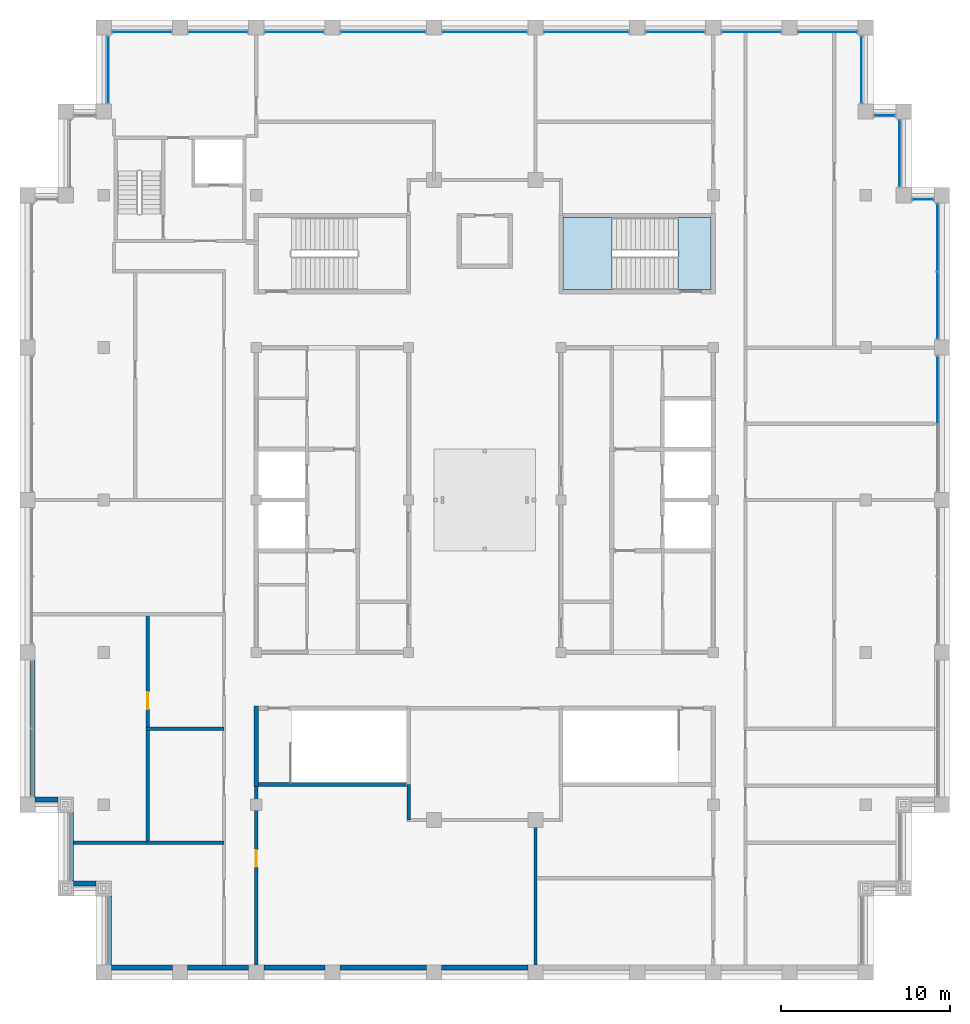
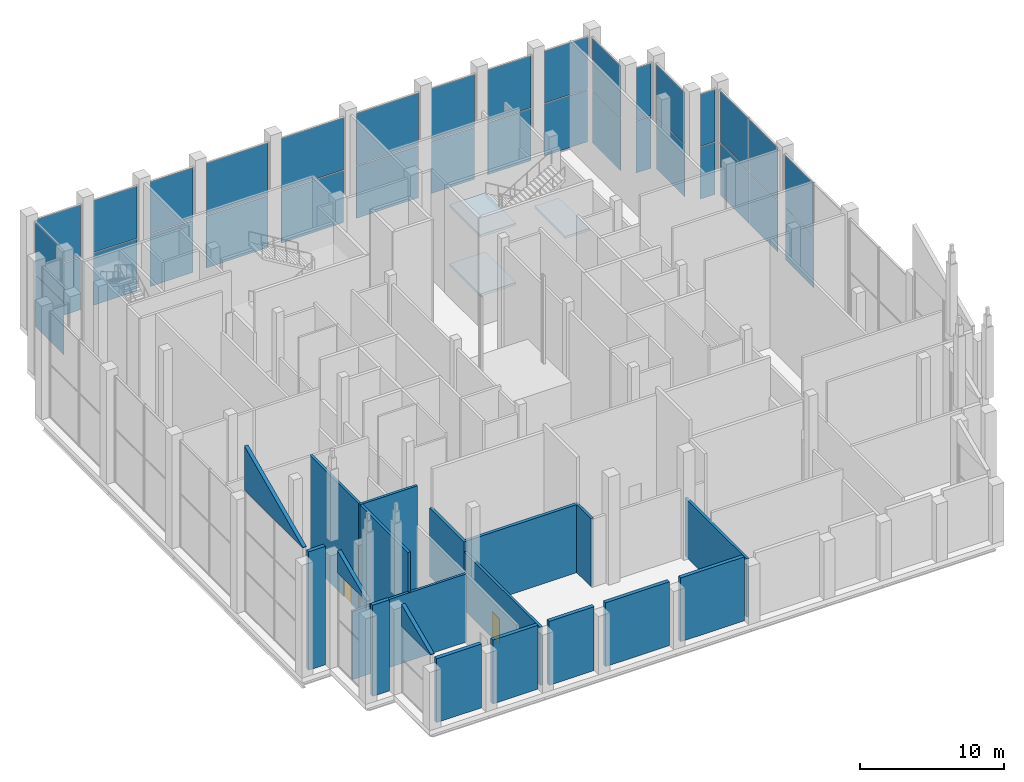
# One storey, part 11 of 16: 34 plates, 18 walls, 3 slabs, 2 doors, 2 openings, 17 elements without a shape of their own.
"""IFC4 building model written with IfcOpenShell, lengths in metres."""

from ifc_helpers import new_model, si_unit, direction, frame, frame_2d, origin, origin_2d, place, context, subcontext, project, spatial, polyline, rectangle, outline, extrude, material, layer, layer_set, type_object, element, fill, aggregate, save


model = new_model("IFC4")

# Units and contexts
model_context = context("Model", 3, precision=1e-05, world=origin(), true_north=direction((0.0, 1.0)))
body_context = subcontext(model_context, "Body", "Model", "MODEL_VIEW")
ifc_project = project(units=[si_unit("LENGTHUNIT", "METRE"), si_unit("AREAUNIT", "SQUARE_METRE"), si_unit("VOLUMEUNIT", "CUBIC_METRE"), si_unit("PLANEANGLEUNIT", "RADIAN"), si_unit("MASSUNIT", "GRAM", prefix="KILO")], contexts=[model_context])

# Site, building, storey
site_placement = place(None, origin())
site = spatial("IfcSite", under=ifc_project, at=site_placement, CompositionType="ELEMENT")
building_placement = place(site_placement, origin())
building = spatial("IfcBuilding", under=site, at=building_placement, Name="Corbelhall Arena Tower", CompositionType="ELEMENT")
storey_placement = place(building_placement, frame((0.0, 0.0, 366.0)))
storey = spatial("IfcBuildingStorey", under=building, at=storey_placement, Name="L80", CompositionType="ELEMENT", Elevation=366.0)

# Curtain wall, plates
ifc_material_1 = material(Name="Aluminium black anodised", Category="aluminium")
ifc_layer_1 = layer(ifc_material_1, 0.219970703125)
ifc_layer_set_1 = layer_set([ifc_layer_1], Name="EV-CW2 Damper hall glazing")
curtain_wall_type = type_object("IfcCurtainWallType", Name="EV-CW2 Damper hall glazing", PredefinedType="NOTDEFINED", material=ifc_layer_set_1)
curtain_wall_1_placement = place(storey_placement, origin())
curtain_wall_1 = element("IfcCurtainWall", 1, at=curtain_wall_1_placement, inside=storey, type_object=curtain_wall_type, Name="Curtain wall CW2", PredefinedType="NOTDEFINED")
ifc_material_2 = material(Name="Glass dark tinted laminated", Category="glass")
ifc_layer_2 = layer(ifc_material_2, 0.028076171875)
ifc_layer_set_2 = layer_set([ifc_layer_2], Name="EV-CW2-PANEL")
plate_type = type_object("IfcPlateType", Name="EV-CW2-PANEL", PredefinedType="CURTAIN_PANEL", material=ifc_layer_set_2)
plate_1_placement = place(storey_placement, frame((26.75, 6.50634765625, 0.074951171875), z_axis=(0.0, 0.0, 1.0), x_axis=(0.0, 1.0, 0.0)))
plate_1 = element("IfcPlate", 2, at=plate_1_placement, type_object=plate_type, Name="CW2 panel 2.1", PredefinedType="CURTAIN_PANEL", context=body_context, shape_type="SweptSolid", body=[
    extrude(rectangle(XDim=3.9375, YDim=0.028076171875, at=origin_2d()), origin(), (0.0, 0.0, 1.0), 4.38720703125),
])
plate_2_placement = place(storey_placement, frame((26.75, 6.50634765625, 4.537353515625), z_axis=(0.0, 0.0, 1.0), x_axis=(0.0, 1.0, 0.0)))
plate_2 = element("IfcPlate", 3, at=plate_2_placement, type_object=plate_type, Name="CW2 panel 2.2", PredefinedType="CURTAIN_PANEL", context=body_context, shape_type="SweptSolid", body=[
    extrude(rectangle(XDim=3.9375, YDim=0.028076171875, at=origin_2d()), origin(), (0.0, 0.0, 1.0), 4.38720703125),
])
aggregate(curtain_wall_1, [plate_1, plate_2])

curtain_wall_2_placement = place(storey_placement, origin())
curtain_wall_2 = element("IfcCurtainWall", 4, at=curtain_wall_2_placement, inside=storey, type_object=curtain_wall_type, Name="Curtain wall CW2", PredefinedType="NOTDEFINED")
plate_3_placement = place(storey_placement, frame((26.75, 11.49365234375, 0.074951171875), z_axis=(0.0, 0.0, 1.0), x_axis=(0.0, 1.0, 0.0)))
plate_3 = element("IfcPlate", 5, at=plate_3_placement, type_object=plate_type, Name="CW2 panel 1.1", PredefinedType="CURTAIN_PANEL", context=body_context, shape_type="SweptSolid", body=[
    extrude(rectangle(XDim=3.9375, YDim=0.028076171875, at=origin_2d()), origin(), (0.0, 0.0, 1.0), 4.38720703125),
])
plate_4_placement = place(storey_placement, frame((26.75, 11.49365234375, 4.537353515625), z_axis=(0.0, 0.0, 1.0), x_axis=(0.0, 1.0, 0.0)))
plate_4 = element("IfcPlate", 6, at=plate_4_placement, type_object=plate_type, Name="CW2 panel 1.2", PredefinedType="CURTAIN_PANEL", context=body_context, shape_type="SweptSolid", body=[
    extrude(rectangle(XDim=3.9375, YDim=0.028076171875, at=origin_2d()), origin(), (0.0, 0.0, 1.0), 4.38720703125),
])
plate_5_placement = place(storey_placement, frame((26.75, 15.50634765625, 0.074951171875), z_axis=(0.0, 0.0, 1.0), x_axis=(0.0, 1.0, 0.0)))
plate_5 = element("IfcPlate", 7, at=plate_5_placement, type_object=plate_type, Name="CW2 panel 2.1", PredefinedType="CURTAIN_PANEL", context=body_context, shape_type="SweptSolid", body=[
    extrude(rectangle(XDim=3.9375, YDim=0.028076171875, at=origin_2d()), origin(), (0.0, 0.0, 1.0), 4.38720703125),
])
plate_6_placement = place(storey_placement, frame((26.75, 15.50634765625, 4.537353515625), z_axis=(0.0, 0.0, 1.0), x_axis=(0.0, 1.0, 0.0)))
plate_6 = element("IfcPlate", 8, at=plate_6_placement, type_object=plate_type, Name="CW2 panel 2.2", PredefinedType="CURTAIN_PANEL", context=body_context, shape_type="SweptSolid", body=[
    extrude(rectangle(XDim=3.9375, YDim=0.028076171875, at=origin_2d()), origin(), (0.0, 0.0, 1.0), 4.38720703125),
])
aggregate(curtain_wall_2, [plate_3, plate_4, plate_5, plate_6])

curtain_wall_3_placement = place(storey_placement, origin())
curtain_wall_3 = element("IfcCurtainWall", 9, at=curtain_wall_3_placement, inside=storey, type_object=curtain_wall_type, Name="Curtain wall CW2B", PredefinedType="NOTDEFINED")
plate_7_placement = place(storey_placement, frame((25.875, 17.75, 0.074951171875), z_axis=(0.0, 0.0, 1.0), x_axis=(-1.0, 0.0, 0.0)))
plate_7 = element("IfcPlate", 10, at=plate_7_placement, type_object=plate_type, Name="CW2B panel 1.1", PredefinedType="CURTAIN_PANEL", context=body_context, shape_type="SweptSolid", body=[
    extrude(rectangle(XDim=1.199951171875, YDim=0.028076171875, at=origin_2d()), origin(), (0.0, 0.0, 1.0), 4.38720703125),
])
plate_8_placement = place(storey_placement, frame((25.875, 17.75, 4.537353515625), z_axis=(0.0, 0.0, 1.0), x_axis=(-1.0, 0.0, 0.0)))
plate_8 = element("IfcPlate", 11, at=plate_8_placement, type_object=plate_type, Name="CW2B panel 1.2", PredefinedType="CURTAIN_PANEL", context=body_context, shape_type="SweptSolid", body=[
    extrude(rectangle(XDim=1.199951171875, YDim=0.028076171875, at=origin_2d()), origin(), (0.0, 0.0, 1.0), 4.38720703125),
])
aggregate(curtain_wall_3, [plate_7, plate_8])

curtain_wall_4_placement = place(storey_placement, origin())
curtain_wall_4 = element("IfcCurtainWall", 12, at=curtain_wall_4_placement, inside=storey, type_object=curtain_wall_type, Name="Curtain wall CW2", PredefinedType="NOTDEFINED")
plate_9_placement = place(storey_placement, frame((24.5, 20.47509765625, 0.074951171875), z_axis=(0.0, 0.0, 1.0), x_axis=(0.0, 1.0, 0.0)))
plate_9 = element("IfcPlate", 13, at=plate_9_placement, type_object=plate_type, Name="CW2 panel 1.1", PredefinedType="CURTAIN_PANEL", context=body_context, shape_type="SweptSolid", body=[
    extrude(rectangle(XDim=3.89990234375, YDim=0.028076171875, at=origin_2d()), origin(), (0.0, 0.0, 1.0), 4.38720703125),
])
plate_10_placement = place(storey_placement, frame((24.5, 20.47509765625, 4.537353515625), z_axis=(0.0, 0.0, 1.0), x_axis=(0.0, 1.0, 0.0)))
plate_10 = element("IfcPlate", 14, at=plate_10_placement, type_object=plate_type, Name="CW2 panel 1.2", PredefinedType="CURTAIN_PANEL", context=body_context, shape_type="SweptSolid", body=[
    extrude(rectangle(XDim=3.89990234375, YDim=0.028076171875, at=origin_2d()), origin(), (0.0, 0.0, 1.0), 4.38720703125),
])
aggregate(curtain_wall_4, [plate_9, plate_10])

curtain_wall_5_placement = place(storey_placement, origin())
curtain_wall_5 = element("IfcCurtainWall", 15, at=curtain_wall_5_placement, inside=storey, type_object=curtain_wall_type, Name="Curtain wall CW2B", PredefinedType="NOTDEFINED")
plate_11_placement = place(storey_placement, frame((23.625, 22.699951171875, 0.074951171875), z_axis=(0.0, 0.0, 1.0), x_axis=(-1.0, 0.0, 0.0)))
plate_11 = element("IfcPlate", 16, at=plate_11_placement, type_object=plate_type, Name="CW2B panel 1.1", PredefinedType="CURTAIN_PANEL", context=body_context, shape_type="SweptSolid", body=[
    extrude(rectangle(XDim=1.199951171875, YDim=0.028076171875, at=origin_2d()), origin(), (0.0, 0.0, 1.0), 4.38720703125),
])
plate_12_placement = place(storey_placement, frame((23.625, 22.699951171875, 4.537353515625), z_axis=(0.0, 0.0, 1.0), x_axis=(-1.0, 0.0, 0.0)))
plate_12 = element("IfcPlate", 17, at=plate_12_placement, type_object=plate_type, Name="CW2B panel 1.2", PredefinedType="CURTAIN_PANEL", context=body_context, shape_type="SweptSolid", body=[
    extrude(rectangle(XDim=1.199951171875, YDim=0.028076171875, at=origin_2d()), origin(), (0.0, 0.0, 1.0), 4.38720703125),
])
aggregate(curtain_wall_5, [plate_11, plate_12])

curtain_wall_6_placement = place(storey_placement, origin())
curtain_wall_6 = element("IfcCurtainWall", 18, at=curtain_wall_6_placement, inside=storey, type_object=curtain_wall_type, Name="Curtain wall CW2", PredefinedType="NOTDEFINED")
plate_13_placement = place(storey_placement, frame((22.25, 25.425048828125, 0.074951171875), z_axis=(0.0, 0.0, 1.0), x_axis=(0.0, 1.0, 0.0)))
plate_13 = element("IfcPlate", 19, at=plate_13_placement, type_object=plate_type, Name="CW2 panel 1.1", PredefinedType="CURTAIN_PANEL", context=body_context, shape_type="SweptSolid", body=[
    extrude(rectangle(XDim=3.89990234375, YDim=0.028076171875, at=origin_2d()), origin(), (0.0, 0.0, 1.0), 4.38720703125),
])
plate_14_placement = place(storey_placement, frame((22.25, 25.425048828125, 4.537353515625), z_axis=(0.0, 0.0, 1.0), x_axis=(0.0, 1.0, 0.0)))
plate_14 = element("IfcPlate", 20, at=plate_14_placement, type_object=plate_type, Name="CW2 panel 1.2", PredefinedType="CURTAIN_PANEL", context=body_context, shape_type="SweptSolid", body=[
    extrude(rectangle(XDim=3.89990234375, YDim=0.028076171875, at=origin_2d()), origin(), (0.0, 0.0, 1.0), 4.38720703125),
])
aggregate(curtain_wall_6, [plate_13, plate_14])

curtain_wall_7_placement = place(storey_placement, origin())
curtain_wall_7 = element("IfcCurtainWall", 21, at=curtain_wall_7_placement, inside=storey, type_object=curtain_wall_type, Name="Curtain wall CW2A", PredefinedType="NOTDEFINED")
plate_15_placement = place(storey_placement, frame((20.25, 27.64990234375, 0.074951171875), z_axis=(0.0, 0.0, 1.0), x_axis=(-1.0, 0.0, 0.0)))
plate_15 = element("IfcPlate", 22, at=plate_15_placement, type_object=plate_type, Name="CW2A panel 1.1", PredefinedType="CURTAIN_PANEL", context=body_context, shape_type="SweptSolid", body=[
    extrude(rectangle(XDim=3.449951171875, YDim=0.028076171875, at=origin_2d()), origin(), (0.0, 0.0, 1.0), 4.38720703125),
])
plate_16_placement = place(storey_placement, frame((20.25, 27.64990234375, 4.537353515625), z_axis=(0.0, 0.0, 1.0), x_axis=(-1.0, 0.0, 0.0)))
plate_16 = element("IfcPlate", 23, at=plate_16_placement, type_object=plate_type, Name="CW2A panel 1.2", PredefinedType="CURTAIN_PANEL", context=body_context, shape_type="SweptSolid", body=[
    extrude(rectangle(XDim=3.449951171875, YDim=0.028076171875, at=origin_2d()), origin(), (0.0, 0.0, 1.0), 4.38720703125),
])
aggregate(curtain_wall_7, [plate_15, plate_16])

curtain_wall_8_placement = place(storey_placement, origin())
curtain_wall_8 = element("IfcCurtainWall", 24, at=curtain_wall_8_placement, inside=storey, type_object=curtain_wall_type, Name="Curtain wall CW2A", PredefinedType="NOTDEFINED")
plate_17_placement = place(storey_placement, frame((15.75, 27.64990234375, 0.074951171875), z_axis=(0.0, 0.0, 1.0), x_axis=(-1.0, 0.0, 0.0)))
plate_17 = element("IfcPlate", 25, at=plate_17_placement, type_object=plate_type, Name="CW2A panel 1.1", PredefinedType="CURTAIN_PANEL", context=body_context, shape_type="SweptSolid", body=[
    extrude(rectangle(XDim=3.449951171875, YDim=0.028076171875, at=origin_2d()), origin(), (0.0, 0.0, 1.0), 4.38720703125),
])
plate_18_placement = place(storey_placement, frame((15.75, 27.64990234375, 4.537353515625), z_axis=(0.0, 0.0, 1.0), x_axis=(-1.0, 0.0, 0.0)))
plate_18 = element("IfcPlate", 26, at=plate_18_placement, type_object=plate_type, Name="CW2A panel 1.2", PredefinedType="CURTAIN_PANEL", context=body_context, shape_type="SweptSolid", body=[
    extrude(rectangle(XDim=3.449951171875, YDim=0.028076171875, at=origin_2d()), origin(), (0.0, 0.0, 1.0), 4.38720703125),
])
aggregate(curtain_wall_8, [plate_17, plate_18])

curtain_wall_9_placement = place(storey_placement, origin())
curtain_wall_9 = element("IfcCurtainWall", 27, at=curtain_wall_9_placement, inside=storey, type_object=curtain_wall_type, Name="Curtain wall CW2A", PredefinedType="NOTDEFINED")
plate_19_placement = place(storey_placement, frame((11.25, 27.64990234375, 0.074951171875), z_axis=(0.0, 0.0, 1.0), x_axis=(-1.0, 0.0, 0.0)))
plate_19 = element("IfcPlate", 28, at=plate_19_placement, type_object=plate_type, Name="CW2A panel 1.1", PredefinedType="CURTAIN_PANEL", context=body_context, shape_type="SweptSolid", body=[
    extrude(rectangle(XDim=3.449951171875, YDim=0.028076171875, at=origin_2d()), origin(), (0.0, 0.0, 1.0), 4.38720703125),
])
plate_20_placement = place(storey_placement, frame((11.25, 27.64990234375, 4.537353515625), z_axis=(0.0, 0.0, 1.0), x_axis=(-1.0, 0.0, 0.0)))
plate_20 = element("IfcPlate", 29, at=plate_20_placement, type_object=plate_type, Name="CW2A panel 1.2", PredefinedType="CURTAIN_PANEL", context=body_context, shape_type="SweptSolid", body=[
    extrude(rectangle(XDim=3.449951171875, YDim=0.028076171875, at=origin_2d()), origin(), (0.0, 0.0, 1.0), 4.38720703125),
])
aggregate(curtain_wall_9, [plate_19, plate_20])

curtain_wall_10_placement = place(storey_placement, origin())
curtain_wall_10 = element("IfcCurtainWall", 30, at=curtain_wall_10_placement, inside=storey, type_object=curtain_wall_type, Name="Curtain wall CW2C", PredefinedType="NOTDEFINED")
plate_21_placement = place(storey_placement, frame((6.0, 27.64990234375, 0.074951171875), z_axis=(0.0, 0.0, 1.0), x_axis=(-1.0, 0.0, 0.0)))
plate_21 = element("IfcPlate", 31, at=plate_21_placement, type_object=plate_type, Name="CW2C panel 1.1", PredefinedType="CURTAIN_PANEL", context=body_context, shape_type="SweptSolid", body=[
    extrude(rectangle(XDim=4.949951171875, YDim=0.028076171875, at=origin_2d()), origin(), (0.0, 0.0, 1.0), 4.38720703125),
])
plate_22_placement = place(storey_placement, frame((6.0, 27.64990234375, 4.537353515625), z_axis=(0.0, 0.0, 1.0), x_axis=(-1.0, 0.0, 0.0)))
plate_22 = element("IfcPlate", 32, at=plate_22_placement, type_object=plate_type, Name="CW2C panel 1.2", PredefinedType="CURTAIN_PANEL", context=body_context, shape_type="SweptSolid", body=[
    extrude(rectangle(XDim=4.949951171875, YDim=0.028076171875, at=origin_2d()), origin(), (0.0, 0.0, 1.0), 4.38720703125),
])
aggregate(curtain_wall_10, [plate_21, plate_22])

curtain_wall_11_placement = place(storey_placement, origin())
curtain_wall_11 = element("IfcCurtainWall", 33, at=curtain_wall_11_placement, inside=storey, type_object=curtain_wall_type, Name="Curtain wall CW2C", PredefinedType="NOTDEFINED")
plate_23_placement = place(storey_placement, frame((0.0, 27.64990234375, 0.074951171875), z_axis=(0.0, 0.0, 1.0), x_axis=(-1.0, 0.0, 0.0)))
plate_23 = element("IfcPlate", 34, at=plate_23_placement, type_object=plate_type, Name="CW2C panel 1.1", PredefinedType="CURTAIN_PANEL", context=body_context, shape_type="SweptSolid", body=[
    extrude(rectangle(XDim=4.949951171875, YDim=0.028076171875, at=origin_2d()), origin(), (0.0, 0.0, 1.0), 4.38720703125),
])
plate_24_placement = place(storey_placement, frame((0.0, 27.64990234375, 4.537353515625), z_axis=(0.0, 0.0, 1.0), x_axis=(-1.0, 0.0, 0.0)))
plate_24 = element("IfcPlate", 35, at=plate_24_placement, type_object=plate_type, Name="CW2C panel 1.2", PredefinedType="CURTAIN_PANEL", context=body_context, shape_type="SweptSolid", body=[
    extrude(rectangle(XDim=4.949951171875, YDim=0.028076171875, at=origin_2d()), origin(), (0.0, 0.0, 1.0), 4.38720703125),
])
aggregate(curtain_wall_11, [plate_23, plate_24])

curtain_wall_12_placement = place(storey_placement, origin())
curtain_wall_12 = element("IfcCurtainWall", 36, at=curtain_wall_12_placement, inside=storey, type_object=curtain_wall_type, Name="Curtain wall CW2C", PredefinedType="NOTDEFINED")
plate_25_placement = place(storey_placement, frame((-6.0, 27.64990234375, 0.074951171875), z_axis=(0.0, 0.0, 1.0), x_axis=(-1.0, 0.0, 0.0)))
plate_25 = element("IfcPlate", 37, at=plate_25_placement, type_object=plate_type, Name="CW2C panel 1.1", PredefinedType="CURTAIN_PANEL", context=body_context, shape_type="SweptSolid", body=[
    extrude(rectangle(XDim=4.949951171875, YDim=0.028076171875, at=origin_2d()), origin(), (0.0, 0.0, 1.0), 4.38720703125),
])
plate_26_placement = place(storey_placement, frame((-6.0, 27.64990234375, 4.537353515625), z_axis=(0.0, 0.0, 1.0), x_axis=(-1.0, 0.0, 0.0)))
plate_26 = element("IfcPlate", 38, at=plate_26_placement, type_object=plate_type, Name="CW2C panel 1.2", PredefinedType="CURTAIN_PANEL", context=body_context, shape_type="SweptSolid", body=[
    extrude(rectangle(XDim=4.949951171875, YDim=0.028076171875, at=origin_2d()), origin(), (0.0, 0.0, 1.0), 4.38720703125),
])
aggregate(curtain_wall_12, [plate_25, plate_26])

curtain_wall_13_placement = place(storey_placement, origin())
curtain_wall_13 = element("IfcCurtainWall", 39, at=curtain_wall_13_placement, inside=storey, type_object=curtain_wall_type, Name="Curtain wall CW2A", PredefinedType="NOTDEFINED")
plate_27_placement = place(storey_placement, frame((-11.25, 27.64990234375, 0.074951171875), z_axis=(0.0, 0.0, 1.0), x_axis=(-1.0, 0.0, 0.0)))
plate_27 = element("IfcPlate", 40, at=plate_27_placement, type_object=plate_type, Name="CW2A panel 1.1", PredefinedType="CURTAIN_PANEL", context=body_context, shape_type="SweptSolid", body=[
    extrude(rectangle(XDim=3.449951171875, YDim=0.028076171875, at=origin_2d()), origin(), (0.0, 0.0, 1.0), 4.38720703125),
])
plate_28_placement = place(storey_placement, frame((-11.25, 27.64990234375, 4.537353515625), z_axis=(0.0, 0.0, 1.0), x_axis=(-1.0, 0.0, 0.0)))
plate_28 = element("IfcPlate", 41, at=plate_28_placement, type_object=plate_type, Name="CW2A panel 1.2", PredefinedType="CURTAIN_PANEL", context=body_context, shape_type="SweptSolid", body=[
    extrude(rectangle(XDim=3.449951171875, YDim=0.028076171875, at=origin_2d()), origin(), (0.0, 0.0, 1.0), 4.38720703125),
])
aggregate(curtain_wall_13, [plate_27, plate_28])

curtain_wall_14_placement = place(storey_placement, origin())
curtain_wall_14 = element("IfcCurtainWall", 42, at=curtain_wall_14_placement, inside=storey, type_object=curtain_wall_type, Name="Curtain wall CW2A", PredefinedType="NOTDEFINED")
plate_29_placement = place(storey_placement, frame((-15.75, 27.64990234375, 0.074951171875), z_axis=(0.0, 0.0, 1.0), x_axis=(-1.0, 0.0, 0.0)))
plate_29 = element("IfcPlate", 43, at=plate_29_placement, type_object=plate_type, Name="CW2A panel 1.1", PredefinedType="CURTAIN_PANEL", context=body_context, shape_type="SweptSolid", body=[
    extrude(rectangle(XDim=3.449951171875, YDim=0.028076171875, at=origin_2d()), origin(), (0.0, 0.0, 1.0), 4.38720703125),
])
plate_30_placement = place(storey_placement, frame((-15.75, 27.64990234375, 4.537353515625), z_axis=(0.0, 0.0, 1.0), x_axis=(-1.0, 0.0, 0.0)))
plate_30 = element("IfcPlate", 44, at=plate_30_placement, type_object=plate_type, Name="CW2A panel 1.2", PredefinedType="CURTAIN_PANEL", context=body_context, shape_type="SweptSolid", body=[
    extrude(rectangle(XDim=3.449951171875, YDim=0.028076171875, at=origin_2d()), origin(), (0.0, 0.0, 1.0), 4.38720703125),
])
aggregate(curtain_wall_14, [plate_29, plate_30])

curtain_wall_15_placement = place(storey_placement, origin())
curtain_wall_15 = element("IfcCurtainWall", 45, at=curtain_wall_15_placement, inside=storey, type_object=curtain_wall_type, Name="Curtain wall CW2A", PredefinedType="NOTDEFINED")
plate_31_placement = place(storey_placement, frame((-20.25, 27.64990234375, 0.074951171875), z_axis=(0.0, 0.0, 1.0), x_axis=(-1.0, 0.0, 0.0)))
plate_31 = element("IfcPlate", 46, at=plate_31_placement, type_object=plate_type, Name="CW2A panel 1.1", PredefinedType="CURTAIN_PANEL", context=body_context, shape_type="SweptSolid", body=[
    extrude(rectangle(XDim=3.449951171875, YDim=0.028076171875, at=origin_2d()), origin(), (0.0, 0.0, 1.0), 4.38720703125),
])
plate_32_placement = place(storey_placement, frame((-20.25, 27.64990234375, 4.537353515625), z_axis=(0.0, 0.0, 1.0), x_axis=(-1.0, 0.0, 0.0)))
plate_32 = element("IfcPlate", 47, at=plate_32_placement, type_object=plate_type, Name="CW2A panel 1.2", PredefinedType="CURTAIN_PANEL", context=body_context, shape_type="SweptSolid", body=[
    extrude(rectangle(XDim=3.449951171875, YDim=0.028076171875, at=origin_2d()), origin(), (0.0, 0.0, 1.0), 4.38720703125),
])
aggregate(curtain_wall_15, [plate_31, plate_32])

curtain_wall_16_placement = place(storey_placement, origin())
curtain_wall_16 = element("IfcCurtainWall", 48, at=curtain_wall_16_placement, inside=storey, type_object=curtain_wall_type, Name="Curtain wall CW2", PredefinedType="NOTDEFINED")
plate_33_placement = place(storey_placement, frame((-22.25, 25.425048828125, 0.074951171875), z_axis=(0.0, 0.0, 1.0), x_axis=(0.0, -1.0, 0.0)))
plate_33 = element("IfcPlate", 49, at=plate_33_placement, type_object=plate_type, Name="CW2 panel 1.1", PredefinedType="CURTAIN_PANEL", context=body_context, shape_type="SweptSolid", body=[
    extrude(rectangle(XDim=3.89990234375, YDim=0.028076171875, at=origin_2d()), origin(), (0.0, 0.0, 1.0), 4.38720703125),
])
plate_34_placement = place(storey_placement, frame((-22.25, 25.425048828125, 4.537353515625), z_axis=(0.0, 0.0, 1.0), x_axis=(0.0, -1.0, 0.0)))
plate_34 = element("IfcPlate", 50, at=plate_34_placement, type_object=plate_type, Name="CW2 panel 1.2", PredefinedType="CURTAIN_PANEL", context=body_context, shape_type="SweptSolid", body=[
    extrude(rectangle(XDim=3.89990234375, YDim=0.028076171875, at=origin_2d()), origin(), (0.0, 0.0, 1.0), 4.38720703125),
])
aggregate(curtain_wall_16, [plate_33, plate_34])

# Stair, slabs
ifc_material_3 = material(Name="Concrete C40/50", Category="concrete")
stair_type = type_object("IfcStairType", Name="IN-ST-TOWER", PredefinedType="HALF_TURN_STAIR", material=ifc_material_3)
stair_placement = place(storey_placement, origin())
stair = element("IfcStair", 51, at=stair_placement, inside=storey, type_object=stair_type, Name="L80 Exit stair ST3", PredefinedType="HALF_TURN_STAIR")
ifc_layer_3 = layer(ifc_material_3, 0.199951171875)
ifc_layer_set_3 = layer_set([ifc_layer_3], Name="IN-SL-LANDING")
slab_type = type_object("IfcSlabType", Name="IN-SL-LANDING", PredefinedType="LANDING", material=ifc_layer_set_3)
slab_1_placement = place(storey_placement, frame((0.0, 0.0, 2.300048828125)))
slab_1 = element("IfcSlab", 52, at=slab_1_placement, type_object=slab_type, Name="ST3 landing 1", PredefinedType="LANDING", context=body_context, shape_type="SweptSolid", body=[
    extrude(outline(polyline([(7.5048828125, 16.675048828125), (4.625, 16.675048828125), (4.625, 12.425048828125), (7.5048828125, 12.425048828125), (7.5048828125, 16.675048828125)])), origin(), (0.0, 0.0, 1.0), 0.199951171875),
])
slab_2_placement = place(storey_placement, frame((0.0, 0.0, 4.800048828125)))
slab_2 = element("IfcSlab", 53, at=slab_2_placement, type_object=slab_type, Name="ST3 landing 2", PredefinedType="LANDING", context=body_context, shape_type="SweptSolid", body=[
    extrude(outline(polyline([(13.375, 16.675048828125), (11.425048828125, 16.675048828125), (11.425048828125, 12.425048828125), (13.375, 12.425048828125), (13.375, 16.675048828125)])), origin(), (0.0, 0.0, 1.0), 0.199951171875),
])
slab_3_placement = place(storey_placement, frame((0.0, 0.0, 7.300048828125)))
slab_3 = element("IfcSlab", 54, at=slab_3_placement, type_object=slab_type, Name="ST3 landing 3", PredefinedType="LANDING", context=body_context, shape_type="SweptSolid", body=[
    extrude(outline(polyline([(7.5048828125, 16.675048828125), (4.625, 16.675048828125), (4.625, 12.425048828125), (7.5048828125, 12.425048828125), (7.5048828125, 16.675048828125)])), origin(), (0.0, 0.0, 1.0), 0.199951171875),
])
aggregate(stair, [slab_1, slab_2, slab_3])

# Walls
ifc_material_4 = material(Name="Precast concrete C40/50 with granite facing", Category="masonry")
ifc_layer_4 = layer(ifc_material_4, 0.300048828125)
ifc_layer_set_4 = layer_set([ifc_layer_4], Name="EV-IW1 Infill panel 300")
wall_type_1 = type_object("IfcWallType", Name="EV-IW1 Infill panel 300", PredefinedType="SOLIDWALL", material=ifc_layer_set_4)
wall_1_placement = place(storey_placement, frame((-26.550048828125, -17.699951171875, 0.0), z_axis=(0.0, 0.0, 1.0), x_axis=(1.0, 0.0, 0.0)))
element("IfcWall", 55, at=wall_1_placement, inside=storey, type_object=wall_type_1, Name="Infill panel IW1A", PredefinedType="SOLIDWALL", context=body_context, shape_type="SweptSolid", body=[
    extrude(rectangle(XDim=1.35009765625, YDim=0.300048828125, at=frame_2d((0.675048828125, 0.0))), origin(), (0.0, 0.0, 1.0), 10.012939453125),
])
wall_2_placement = place(storey_placement, frame((-24.300048828125, -22.64990234375, 0.0), z_axis=(0.0, 0.0, 1.0), x_axis=(1.0, 0.0, 0.0)))
element("IfcWall", 56, at=wall_2_placement, inside=storey, type_object=wall_type_1, Name="Infill panel IW1B", PredefinedType="SOLIDWALL", context=body_context, shape_type="SweptSolid", body=[
    extrude(rectangle(XDim=1.35009765625, YDim=0.300048828125, at=frame_2d((0.675048828125, 0.0))), origin(), (0.0, 0.0, 1.0), 7.70654296875),
])
for number, where, z_axis, x_axis, name in (
    (57, (-22.050048828125, -27.60009765625, 0.0), (0.0, 0.0, 1.0), (1.0, 0.0, 0.0), "Infill panel IW1"),
    (58, (-17.550048828125, -27.60009765625, 0.0), (0.0, 0.0, 1.0), (1.0, 0.0, 0.0), "Infill panel IW1"),
    (59, (-13.050048828125, -27.60009765625, 0.0), (0.0, 0.0, 1.0), (1.0, 0.0, 0.0), "Infill panel IW1"),
):
    element("IfcWall", number, at=place(storey_placement, frame(where, z_axis=z_axis, x_axis=x_axis)), inside=storey, type_object=wall_type_1, Name=name, PredefinedType="SOLIDWALL", context=body_context, shape_type="SweptSolid", body=[
        extrude(rectangle(XDim=3.60009765625, YDim=0.300048828125, at=frame_2d((1.800048828125, 0.0))), origin(), (0.0, 0.0, 1.0), 5.39990234375),
    ])
for number, where, z_axis, x_axis, name in (
    (60, (-8.550048828125, -27.60009765625, 0.0), (0.0, 0.0, 1.0), (1.0, 0.0, 0.0), "Infill panel IW1"),
    (61, (-2.550048828125, -27.60009765625, 0.0), (0.0, 0.0, 1.0), (1.0, 0.0, 0.0), "Infill panel IW1"),
):
    element("IfcWall", number, at=place(storey_placement, frame(where, z_axis=z_axis, x_axis=x_axis)), inside=storey, type_object=wall_type_1, Name=name, PredefinedType="SOLIDWALL", context=body_context, shape_type="SweptSolid", body=[
        extrude(rectangle(XDim=5.10009765625, YDim=0.300048828125, at=frame_2d((2.550048828125, 0.0))), origin(), (0.0, 0.0, 1.0), 5.39990234375),
    ])
ifc_layer_5 = layer(ifc_material_4, 0.300048828125)
ifc_layer_set_5 = layer_set([ifc_layer_5], Name="EV-IW3 Parapet 300")
wall_type_2 = type_object("IfcWallType", Name="EV-IW3 Parapet 300", PredefinedType="SOLIDWALL", material=ifc_layer_set_5)
wall_3_placement = place(storey_placement, frame((-26.699951171875, -9.449951171875, 10.245849609375), z_axis=(0.0, 0.0, 1.0), x_axis=(0.0, -1.0, 0.0)))
element("IfcWall", 62, at=wall_3_placement, inside=storey, type_object=wall_type_2, Name="Infill panel IW3", PredefinedType="SOLIDWALL", context=body_context, shape_type="SweptSolid", body=[
    extrude(outline(polyline([(0.0, 0.0), (8.10009765625, 0.0), (8.10009765625, 0.050048828125), (0.0, 3.7275390625), (0.0, 0.0)])), frame((0.0, 0.14990234375, 0.0), z_axis=(0.0, -1.0, 0.0), x_axis=(1.0, 0.0, 0.0)), (0.0, 0.0, 1.0), 0.300048828125),
])
wall_4_placement = place(storey_placement, frame((-24.449951171875, -18.449951171875, 7.939453125), z_axis=(0.0, 0.0, 1.0), x_axis=(0.0, -1.0, 0.0)))
element("IfcWall", 63, at=wall_4_placement, inside=storey, type_object=wall_type_2, Name="Infill panel IW3B", PredefinedType="SOLIDWALL", context=body_context, shape_type="SweptSolid", body=[
    extrude(outline(polyline([(0.0, 0.0), (4.050048828125, 0.0), (4.050048828125, 0.050048828125), (0.0, 1.840576171875), (0.0, 0.0)])), frame((0.0, 0.14990234375, 0.0), z_axis=(0.0, -1.0, 0.0), x_axis=(1.0, 0.0, 0.0)), (0.0, 0.0, 1.0), 0.300048828125),
])
wall_5_placement = place(storey_placement, frame((-22.199951171875, -23.39990234375, 5.633056640625), z_axis=(0.0, 0.0, 1.0), x_axis=(0.0, -1.0, 0.0)))
element("IfcWall", 64, at=wall_5_placement, inside=storey, type_object=wall_type_2, Name="Infill panel IW3A", PredefinedType="SOLIDWALL", context=body_context, shape_type="SweptSolid", body=[
    extrude(outline(polyline([(0.0, 0.0), (4.050048828125, 0.0), (4.050048828125, 0.0498046875), (0.0, 1.84033203125), (0.0, 0.0)])), frame((0.0, 0.14990234375, 0.0), z_axis=(0.0, -1.0, 0.0), x_axis=(1.0, 0.0, 0.0)), (0.0, 0.0, 1.0), 0.300048828125),
])
ifc_material_5 = material(Name="Gypsum board on steel stud, acoustic", Category="steel")
ifc_layer_6 = layer(ifc_material_5, 0.199951171875)
ifc_layer_set_6 = layer_set([ifc_layer_6], Name="IN-W-DM200")
wall_type_3 = type_object("IfcWallType", Name="IN-W-DM200", PredefinedType="PARTITIONING", material=ifc_layer_set_6)
wall_6_placement = place(storey_placement, frame((-24.486083984375, -20.25, 0.0), z_axis=(0.0, 0.0, 1.0), x_axis=(1.0, 0.0, 0.0)))
element("IfcWall", 65, at=wall_6_placement, inside=storey, type_object=wall_type_3, Name="Partition 002", PredefinedType="PARTITIONING", context=body_context, shape_type="SweptSolid", body=[
    extrude(rectangle(XDim=9.086181640625, YDim=0.199951171875, at=frame_2d((4.54296875, 0.0))), origin(), (0.0, 0.0, 1.0), 5.759765625),
])
wall_7_placement = place(storey_placement, frame((-20.0, -13.5, 0.0), z_axis=(0.0, 0.0, 1.0), x_axis=(1.0, 0.0, 0.0)))
element("IfcWall", 66, at=wall_7_placement, inside=storey, type_object=wall_type_3, Name="Partition 008", PredefinedType="PARTITIONING", context=body_context, shape_type="SweptSolid", body=[
    extrude(rectangle(XDim=4.60009765625, YDim=0.199951171875, at=frame_2d((2.300048828125, 0.0))), origin(), (0.0, 0.0, 1.0), 9.114501953125),
])

# Wall, opening, door
wall_8_placement = place(storey_placement, frame((-19.89990234375, -20.25, 0.0), z_axis=(0.0, 0.0, 1.0), x_axis=(0.0, 1.0, 0.0)))
wall_8 = element("IfcWall", 67, at=wall_8_placement, inside=storey, type_object=wall_type_3, Name="Partition 009", PredefinedType="PARTITIONING", context=body_context, shape_type="SweptSolid", body=[
    extrude(rectangle(XDim=13.60009765625, YDim=0.199951171875, at=frame_2d((6.800048828125, 0.0))), origin(), (0.0, 0.0, 1.0), 9.114501953125),
])
opening_1_placement = place(wall_8_placement, frame((7.89990234375, 0.0, 0.0)))
opening_1 = element("IfcOpeningElement", 68, at=opening_1_placement, cuts=wall_8, Name="Opening 34032", PredefinedType="OPENING", context=body_context, shape_type="SweptSolid", body=[
    extrude(rectangle(XDim=1.0, YDim=2.10009765625, at=frame_2d((0.5, 1.050048828125))), frame((0.0, 0.10009765625, 0.0), z_axis=(0.0, -1.0, 0.0), x_axis=(1.0, 0.0, 0.0)), (0.0, 0.0, 1.0), 0.199951171875),
])
ifc_material_6 = material(Name="Steel door set", Category="steel")
door_type = type_object("IfcDoorType", Name="IN-D-SW100", OperationType="NOTDEFINED", PredefinedType="DOOR", material=ifc_material_6)
door_1_placement = place(opening_1_placement, origin())
door_1 = element("IfcDoor", 69, at=door_1_placement, inside=storey, type_object=door_type, Name="Door 032", OperationType="SINGLE_SWING_LEFT", OverallHeight=2.10009765625, OverallWidth=1.0, PredefinedType="DOOR", context=body_context, shape_type="SweptSolid", body=[
    extrude(rectangle(XDim=1.0, YDim=2.10009765625, at=frame_2d((0.5, 1.050048828125))), frame((0.0, 0.02490234375, 0.0), z_axis=(0.0, -1.0, 0.0), x_axis=(1.0, 0.0, 0.0)), (0.0, 0.0, 1.0), 0.050048828125),
])
fill(opening_1, door_1)

# Wall
wall_9_placement = place(storey_placement, frame((-4.5, -18.89990234375, 0.0), z_axis=(0.0, 0.0, 1.0), x_axis=(0.0, 1.0, 0.0)))
element("IfcWall", 70, at=wall_9_placement, inside=storey, type_object=wall_type_3, Name="Partition 016", PredefinedType="PARTITIONING", context=body_context, shape_type="SweptSolid", body=[
    extrude(rectangle(XDim=2.099853515625, YDim=0.199951171875, at=frame_2d((1.0498046875, 0.0))), origin(), (0.0, 0.0, 1.0), 5.759765625),
])

# Wall, opening, door
ifc_layer_7 = layer(ifc_material_5, 0.199951171875)
ifc_layer_set_7 = layer_set([ifc_layer_7], Name="IN-W-DM200 under beam 844 mm")
wall_type_4 = type_object("IfcWallType", Name="IN-W-DM200 under beam 844 mm", PredefinedType="PARTITIONING", material=ifc_layer_set_7)
wall_10_placement = place(storey_placement, frame((-13.5, -16.675048828125, 0.0), z_axis=(0.0, 0.0, 1.0), x_axis=(0.0, -1.0, 0.0)))
wall_10 = element("IfcWall", 71, at=wall_10_placement, inside=storey, type_object=wall_type_4, Name="Partition 012", PredefinedType="PARTITIONING", context=body_context, shape_type="SweptSolid", body=[
    extrude(rectangle(XDim=10.77490234375, YDim=0.199951171875, at=frame_2d((5.387451171875, 0.0))), origin(), (0.0, 0.0, 1.0), 4.916015625),
])
opening_2_placement = place(wall_10_placement, frame((4.0, 0.0, 0.0)))
opening_2 = element("IfcOpeningElement", 72, at=opening_2_placement, cuts=wall_10, Name="Opening 34024", PredefinedType="OPENING", context=body_context, shape_type="SweptSolid", body=[
    extrude(rectangle(XDim=1.0, YDim=2.10009765625, at=frame_2d((0.5, 1.050048828125))), frame((0.0, 0.10009765625, 0.0), z_axis=(0.0, -1.0, 0.0), x_axis=(1.0, 0.0, 0.0)), (0.0, 0.0, 1.0), 0.199951171875),
])
door_2_placement = place(opening_2_placement, origin())
door_2 = element("IfcDoor", 73, at=door_2_placement, inside=storey, type_object=door_type, Name="Door 024", OperationType="SINGLE_SWING_LEFT", OverallHeight=2.10009765625, OverallWidth=1.0, PredefinedType="DOOR", context=body_context, shape_type="SweptSolid", body=[
    extrude(rectangle(XDim=1.0, YDim=2.10009765625, at=frame_2d((0.5, 1.050048828125))), frame((0.0, 0.02490234375, 0.0), z_axis=(0.0, -1.0, 0.0), x_axis=(1.0, 0.0, 0.0)), (0.0, 0.0, 1.0), 0.050048828125),
])
fill(opening_2, door_2)

# Walls
wall_11_placement = place(storey_placement, frame((3.0, -18.89990234375, 0.0), z_axis=(0.0, 0.0, 1.0), x_axis=(0.0, -1.0, 0.0)))
element("IfcWall", 74, at=wall_11_placement, inside=storey, type_object=wall_type_4, Name="Partition 022", PredefinedType="PARTITIONING", context=body_context, shape_type="SweptSolid", body=[
    extrude(rectangle(XDim=8.550048828125, YDim=0.199951171875, at=frame_2d((4.27490234375, 0.0))), origin(), (0.0, 0.0, 1.0), 4.916015625),
])
ifc_layer_8 = layer(ifc_material_3, 0.25)
ifc_layer_set_8 = layer_set([ifc_layer_8], Name="IN-W-ST250")
wall_type_5 = type_object("IfcWallType", Name="IN-W-ST250", PredefinedType="SOLIDWALL", material=ifc_layer_set_8)
wall_12_placement = place(storey_placement, frame((-13.5, -12.175048828125, 0.0), z_axis=(0.0, 0.0, 1.0), x_axis=(0.0, -1.0, 0.0)))
element("IfcWall", 75, at=wall_12_placement, inside=storey, type_object=wall_type_5, Name="Shaft wall 076", PredefinedType="SOLIDWALL", context=body_context, shape_type="SweptSolid", body=[
    extrude(rectangle(XDim=4.75, YDim=0.25, at=frame_2d((2.375, 0.0))), origin(), (0.0, 0.0, 1.0), 5.759765625),
])
wall_13_placement = place(storey_placement, frame((-4.39990234375, -16.800048828125, 0.0), z_axis=(0.0, 0.0, 1.0), x_axis=(-1.0, 0.0, 0.0)))
element("IfcWall", 76, at=wall_13_placement, inside=storey, type_object=wall_type_5, Name="Shaft wall 082", PredefinedType="SOLIDWALL", context=body_context, shape_type="SweptSolid", body=[
    extrude(rectangle(XDim=9.10009765625, YDim=0.25, at=frame_2d((4.550048828125, 0.0))), origin(), (0.0, 0.0, 1.0), 5.759765625),
])

save(model, "model.ifc")
